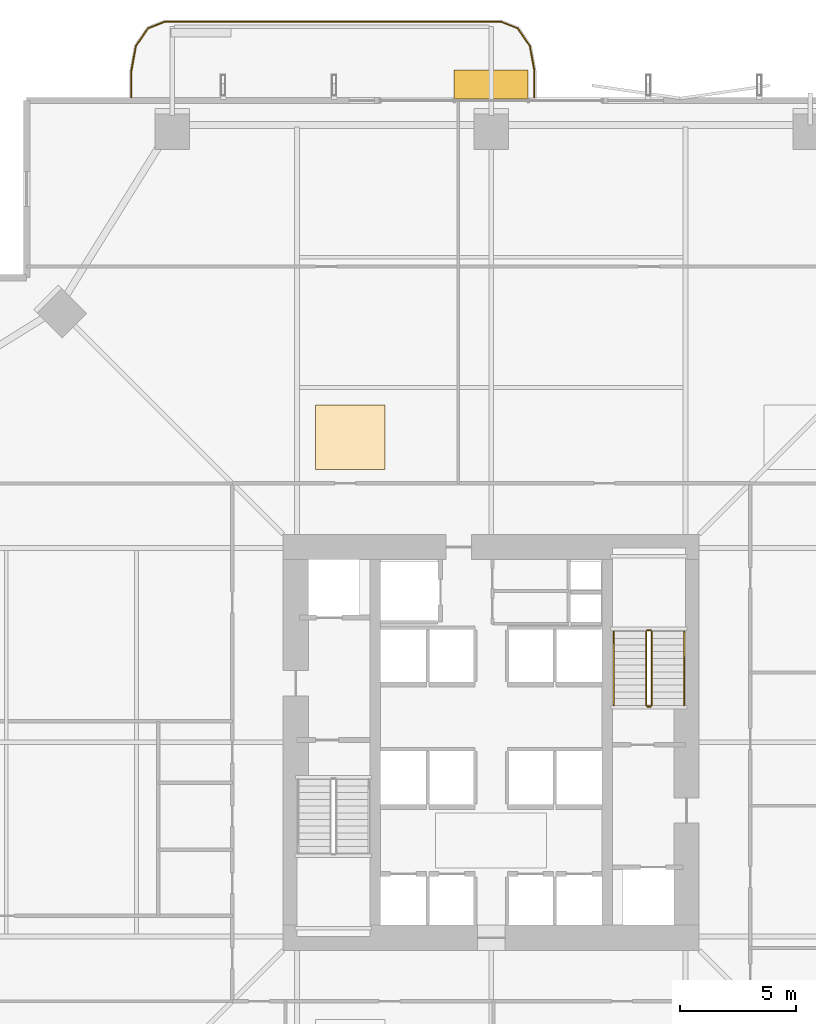
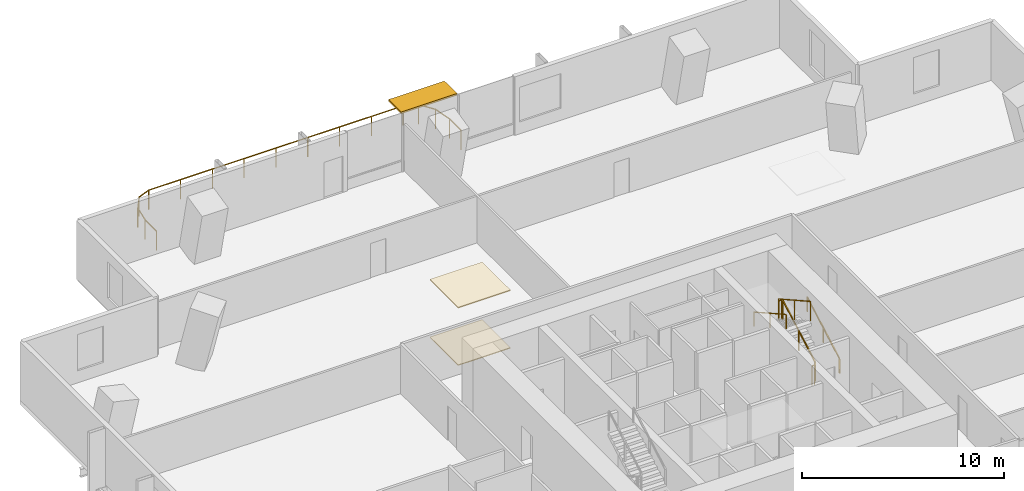
# One storey, part 23 of 24: 7 railings, 2 coverings, 1 shading device.
"""IFC4 building model written with IfcOpenShell, lengths in metres."""

from ifc_helpers import new_model, si_unit, direction, frame, origin, origin_2d, place, context, subcontext, project, spatial, polyline, rectangle, outline, extrude, material, layer, layer_set, type_object, element, save


model = new_model("IFC4")

# Units and contexts
model_context = context("Model", 3, precision=1e-05, world=origin(), true_north=direction((0.0, 1.0)))
body_context = subcontext(model_context, "Body", "Model", "MODEL_VIEW")
ifc_project = project(units=[si_unit("LENGTHUNIT", "METRE"), si_unit("AREAUNIT", "SQUARE_METRE"), si_unit("VOLUMEUNIT", "CUBIC_METRE"), si_unit("PLANEANGLEUNIT", "RADIAN"), si_unit("MASSUNIT", "GRAM", prefix="KILO")], contexts=[model_context])

# Site, building, storey
site_placement = place(None, origin())
site = spatial("IfcSite", under=ifc_project, at=site_placement, CompositionType="ELEMENT")
building_placement = place(site_placement, origin())
building = spatial("IfcBuilding", under=site, at=building_placement, Name="Belovzor Exchange Tower", CompositionType="ELEMENT")
storey_placement = place(building_placement, frame((0.0, 0.0, 104.10009765625)))
storey = spatial("IfcBuildingStorey", under=building, at=storey_placement, Name="L25", CompositionType="ELEMENT", Elevation=104.10009765625)

# Railings
ifc_material_1 = material(Name="Stainless Steel Grade 304", Category="steel")
railing_type_1 = type_object("IfcRailingType", Name="Brushed Stainless Steel Stair Handrail 900", PredefinedType="HANDRAIL", material=ifc_material_1)
railing_1_placement = place(storey_placement, frame((37.14990234375, 30.39990234375, 0.162353515625)))
element("IfcRailing", 1, at=railing_1_placement, inside=storey, type_object=railing_type_1, Name="L25 ST-2 stair handrail 1", PredefinedType="HANDRAIL", context=body_context, shape_type="SweptSolid", body=[
    extrude(rectangle(XDim=0.048095703125, YDim=0.048095703125, at=origin_2d()), frame((0.0, 0.0, 0.8759765625), z_axis=(0.0, 0.87237847985, 0.488831042279), x_axis=(-1.0, 0.0, 0.0)), (0.0, 0.0, 1.0), 3.656982421875),
    extrude(rectangle(XDim=0.0419921875, YDim=0.0419921875, at=origin_2d()), origin(), (0.0, 0.0, 1.0), 0.851806640625),
    extrude(rectangle(XDim=0.0419921875, YDim=0.0419921875, at=origin_2d()), frame((0.0, 1.59521484375, 0.893798828125)), (0.0, 0.0, 1.0), 0.851806640625),
    extrude(rectangle(XDim=0.0419921875, YDim=0.0419921875, at=origin_2d()), frame((0.0, 3.190185546875, 1.78759765625)), (0.0, 0.0, 1.0), 0.851806640625),
])
railing_2_placement = place(storey_placement, frame((34.10009765625, 33.590087890625, 2.1123046875)))
element("IfcRailing", 2, at=railing_2_placement, inside=storey, type_object=railing_type_1, Name="L25 ST-2 stair handrail 2", PredefinedType="HANDRAIL", context=body_context, shape_type="SweptSolid", body=[
    extrude(rectangle(XDim=0.048095703125, YDim=0.048095703125, at=origin_2d()), frame((0.0, 0.0, 0.8759765625), z_axis=(0.0, -0.87237847985, 0.488831042279), x_axis=(1.0, 0.0, 0.0)), (0.0, 0.0, 1.0), 3.656982421875),
    extrude(rectangle(XDim=0.0419921875, YDim=0.0419921875, at=origin_2d()), origin(), (0.0, 0.0, 1.0), 0.851806640625),
    extrude(rectangle(XDim=0.0419921875, YDim=0.0419921875, at=origin_2d()), frame((0.0, -1.59521484375, 0.893798828125)), (0.0, 0.0, 1.0), 0.851806640625),
    extrude(rectangle(XDim=0.0419921875, YDim=0.0419921875, at=origin_2d()), frame((0.0, -3.190185546875, 1.78759765625)), (0.0, 0.0, 1.0), 0.851806640625),
])
ifc_material_2 = material(Name="Stainless Steel and Laminated Safety Glass", Category="steel")
railing_type_2 = type_object("IfcRailingType", Name="Laminated Glass & Stainless Steel Balcony Balustrade 1200", PredefinedType="BALUSTRADE", material=ifc_material_2)
railing_3_placement = place(storey_placement, frame((30.669921875, 56.7099609375, 0.0)))
element("IfcRailing", 3, at=railing_3_placement, inside=storey, type_object=railing_type_2, Name="GR-1 Balcony Balustrade L25 North", PredefinedType="BALUSTRADE", context=body_context, shape_type="SweptSolid", body=[
    extrude(rectangle(XDim=0.048095703125, YDim=0.048095703125, at=origin_2d()), frame((0.0, 0.0, 1.17578125), z_axis=(0.0, 1.0, 0.0), x_axis=(-1.0, 0.0, 0.0)), (0.0, 0.0, 1.0), 1.133056640625),
    extrude(rectangle(XDim=0.048095703125, YDim=0.048095703125, at=origin_2d()), frame((0.0, 1.133056640625, 1.17578125), z_axis=(-0.180122719713, 0.983644145941, 0.0), x_axis=(-0.983644145941, -0.180122719713, 0.0)), (0.0, 0.0, 1.0), 1.09375),
    extrude(rectangle(XDim=0.048095703125, YDim=0.048095703125, at=origin_2d()), frame((-0.197021484375, 2.208984375, 1.17578125), z_axis=(-0.562768145367, 0.826614792125, 0.0), x_axis=(-0.826614792125, -0.562768145367, 0.0)), (0.0, 0.0, 1.0), 0.9326171875),
    extrude(rectangle(XDim=0.048095703125, YDim=0.048095703125, at=origin_2d()), frame((-0.721923828125, 2.97998046875, 1.17578125), z_axis=(-0.930766990125, 0.365612923861, 0.0), x_axis=(-0.365612923861, -0.930766990125, 0.0)), (0.0, 0.0, 1.0), 0.765869140625),
    extrude(rectangle(XDim=0.048095703125, YDim=0.048095703125, at=origin_2d()), frame((-1.434814453125, 3.260009765625, 1.17578125), z_axis=(-1.0, 0.0, 0.0), x_axis=(0.0, -1.0, 0.0)), (0.0, 0.0, 1.0), 14.570068359375),
    extrude(rectangle(XDim=0.048095703125, YDim=0.048095703125, at=origin_2d()), frame((-16.0048828125, 3.260009765625, 1.17578125), z_axis=(-0.930809580156, -0.365504480807, 0.0), x_axis=(0.365504480807, -0.930809580156, 0.0)), (0.0, 0.0, 1.0), 0.76611328125),
    extrude(rectangle(XDim=0.048095703125, YDim=0.048095703125, at=origin_2d()), frame((-16.718017578125, 2.97998046875, 1.17578125), z_axis=(-0.562768145367, -0.826614792125, 0.0), x_axis=(0.826614792125, -0.562768145367, 0.0)), (0.0, 0.0, 1.0), 0.9326171875),
    extrude(rectangle(XDim=0.048095703125, YDim=0.048095703125, at=origin_2d()), frame((-17.242919921875, 2.208984375, 1.17578125), z_axis=(-0.180122719713, -0.983644145941, 0.0), x_axis=(0.983644145941, -0.180122719713, 0.0)), (0.0, 0.0, 1.0), 1.09375),
    extrude(rectangle(XDim=0.048095703125, YDim=0.048095703125, at=origin_2d()), frame((-17.43994140625, 1.133056640625, 1.17578125), z_axis=(0.0, -1.0, 0.0), x_axis=(1.0, 0.0, 0.0)), (0.0, 0.0, 1.0), 1.133056640625),
    extrude(rectangle(XDim=0.0419921875, YDim=0.0419921875, at=origin_2d()), origin(), (0.0, 0.0, 1.0), 1.15185546875),
    extrude(rectangle(XDim=0.0419921875, YDim=0.0419921875, at=origin_2d()), frame((0.0, 1.133056640625, 0.0)), (0.0, 0.0, 1.0), 1.15185546875),
    extrude(rectangle(XDim=0.0419921875, YDim=0.0419921875, at=origin_2d()), frame((-0.197021484375, 2.208984375, 0.0)), (0.0, 0.0, 1.0), 1.15185546875),
    extrude(rectangle(XDim=0.0419921875, YDim=0.0419921875, at=origin_2d()), frame((-0.721923828125, 2.97998046875, 0.0)), (0.0, 0.0, 1.0), 1.15185546875),
    extrude(rectangle(XDim=0.0419921875, YDim=0.0419921875, at=origin_2d()), frame((-1.434814453125, 3.260009765625, 0.0)), (0.0, 0.0, 1.0), 1.15185546875),
    extrude(rectangle(XDim=0.0419921875, YDim=0.0419921875, at=origin_2d()), frame((-3.256103515625, 3.260009765625, 0.0)), (0.0, 0.0, 1.0), 1.15185546875),
    extrude(rectangle(XDim=0.0419921875, YDim=0.0419921875, at=origin_2d()), frame((-5.077392578125, 3.260009765625, 0.0)), (0.0, 0.0, 1.0), 1.15185546875),
    extrude(rectangle(XDim=0.0419921875, YDim=0.0419921875, at=origin_2d()), frame((-6.898681640625, 3.260009765625, 0.0)), (0.0, 0.0, 1.0), 1.15185546875),
    extrude(rectangle(XDim=0.0419921875, YDim=0.0419921875, at=origin_2d()), frame((-8.7197265625, 3.260009765625, 0.0)), (0.0, 0.0, 1.0), 1.15185546875),
    extrude(rectangle(XDim=0.0419921875, YDim=0.0419921875, at=origin_2d()), frame((-10.541015625, 3.260009765625, 0.0)), (0.0, 0.0, 1.0), 1.15185546875),
    extrude(rectangle(XDim=0.0419921875, YDim=0.0419921875, at=origin_2d()), frame((-12.3623046875, 3.260009765625, 0.0)), (0.0, 0.0, 1.0), 1.15185546875),
    extrude(rectangle(XDim=0.0419921875, YDim=0.0419921875, at=origin_2d()), frame((-14.18359375, 3.260009765625, 0.0)), (0.0, 0.0, 1.0), 1.15185546875),
    extrude(rectangle(XDim=0.0419921875, YDim=0.0419921875, at=origin_2d()), frame((-16.0048828125, 3.260009765625, 0.0)), (0.0, 0.0, 1.0), 1.15185546875),
    extrude(rectangle(XDim=0.0419921875, YDim=0.0419921875, at=origin_2d()), frame((-16.718017578125, 2.97998046875, 0.0)), (0.0, 0.0, 1.0), 1.15185546875),
    extrude(rectangle(XDim=0.0419921875, YDim=0.0419921875, at=origin_2d()), frame((-17.242919921875, 2.208984375, 0.0)), (0.0, 0.0, 1.0), 1.15185546875),
    extrude(rectangle(XDim=0.0419921875, YDim=0.0419921875, at=origin_2d()), frame((-17.43994140625, 1.133056640625, 0.0)), (0.0, 0.0, 1.0), 1.15185546875),
    extrude(rectangle(XDim=0.0419921875, YDim=0.0419921875, at=origin_2d()), frame((-17.43994140625, 0.0, 0.0)), (0.0, 0.0, 1.0), 1.15185546875),
])
ifc_material_3 = material(Name="Steel S355", Category="steel")
railing_type_3 = type_object("IfcRailingType", Name="Painted Steel Stairwell Guardrail 1200", PredefinedType="GUARDRAIL", material=ifc_material_3)
railing_4_placement = place(storey_placement, frame((35.75, 30.39990234375, 0.162353515625)))
element("IfcRailing", 4, at=railing_4_placement, inside=storey, type_object=railing_type_3, Name="L25 ST-2 stair guard 1", PredefinedType="GUARDRAIL", context=body_context, shape_type="SweptSolid", body=[
    extrude(rectangle(XDim=0.048095703125, YDim=0.048095703125, at=origin_2d()), frame((0.0, 0.0, 1.17578125), z_axis=(0.0, 0.87237847985, 0.488831042279), x_axis=(-1.0, 0.0, 0.0)), (0.0, 0.0, 1.0), 3.656982421875),
    extrude(rectangle(XDim=0.0419921875, YDim=0.0419921875, at=origin_2d()), origin(), (0.0, 0.0, 1.0), 1.15185546875),
    extrude(rectangle(XDim=0.0419921875, YDim=0.0419921875, at=origin_2d()), frame((0.0, 1.59521484375, 0.893798828125)), (0.0, 0.0, 1.0), 1.15185546875),
    extrude(rectangle(XDim=0.0419921875, YDim=0.0419921875, at=origin_2d()), frame((0.0, 3.190185546875, 1.78759765625)), (0.0, 0.0, 1.0), 1.15185546875),
])
railing_5_placement = place(storey_placement, frame((35.699951171875, 33.639892578125, 1.949951171875)))
element("IfcRailing", 5, at=railing_5_placement, inside=storey, type_object=railing_type_3, Name="L25 ST-2 stair guard 2", PredefinedType="GUARDRAIL", context=body_context, shape_type="SweptSolid", body=[
    extrude(rectangle(XDim=0.048095703125, YDim=0.048095703125, at=origin_2d()), frame((0.0, 0.0, 1.17578125), z_axis=(-1.0, 0.0, 0.0), x_axis=(0.0, -1.0, 0.0)), (0.0, 0.0, 1.0), 0.14990234375),
    extrude(rectangle(XDim=0.0419921875, YDim=0.0419921875, at=origin_2d()), origin(), (0.0, 0.0, 1.0), 1.15185546875),
    extrude(rectangle(XDim=0.0419921875, YDim=0.0419921875, at=origin_2d()), frame((-0.14990234375, 0.0, 0.0)), (0.0, 0.0, 1.0), 1.15185546875),
])
railing_6_placement = place(storey_placement, frame((35.5, 33.590087890625, 2.1123046875)))
element("IfcRailing", 6, at=railing_6_placement, inside=storey, type_object=railing_type_3, Name="L25 ST-2 stair guard 3", PredefinedType="GUARDRAIL", context=body_context, shape_type="SweptSolid", body=[
    extrude(rectangle(XDim=0.048095703125, YDim=0.048095703125, at=origin_2d()), frame((0.0, 0.0, 1.17578125), z_axis=(0.0, -0.87237847985, 0.488831042279), x_axis=(1.0, 0.0, 0.0)), (0.0, 0.0, 1.0), 3.656982421875),
    extrude(rectangle(XDim=0.0419921875, YDim=0.0419921875, at=origin_2d()), origin(), (0.0, 0.0, 1.0), 1.15185546875),
    extrude(rectangle(XDim=0.0419921875, YDim=0.0419921875, at=origin_2d()), frame((0.0, -1.59521484375, 0.893798828125)), (0.0, 0.0, 1.0), 1.15185546875),
    extrude(rectangle(XDim=0.0419921875, YDim=0.0419921875, at=origin_2d()), frame((0.0, -3.190185546875, 1.78759765625)), (0.0, 0.0, 1.0), 1.15185546875),
])
railing_7_placement = place(storey_placement, frame((35.699951171875, 30.35009765625, 0.0)))
element("IfcRailing", 7, at=railing_7_placement, inside=storey, type_object=railing_type_3, Name="L25 ST-2 stair guard 4", PredefinedType="GUARDRAIL", context=body_context, shape_type="SweptSolid", body=[
    extrude(rectangle(XDim=0.048095703125, YDim=0.048095703125, at=origin_2d()), frame((0.0, 0.0, 1.17578125), z_axis=(-1.0, 0.0, 0.0), x_axis=(0.0, -1.0, 0.0)), (0.0, 0.0, 1.0), 0.14990234375),
    extrude(rectangle(XDim=0.0419921875, YDim=0.0419921875, at=origin_2d()), origin(), (0.0, 0.0, 1.0), 1.15185546875),
    extrude(rectangle(XDim=0.0419921875, YDim=0.0419921875, at=origin_2d()), frame((-0.14990234375, 0.0, 0.0)), (0.0, 0.0, 1.0), 1.15185546875),
])

# Coverings
ifc_material_4 = material(Name="Perforated Powder-Coated Aluminium", Category="aluminium")
ifc_layer_1 = layer(ifc_material_4, 0.06005859375)
ifc_layer_set_1 = layer_set([ifc_layer_1], Name="Perforated Powder-Coated Aluminium")
covering_type_1 = type_object("IfcCoveringType", Name="Perforated Acoustic Metal Tile Suspended Ceiling 60", PredefinedType="CEILING", material=ifc_layer_set_1)
covering_1_placement = place(storey_placement, frame((0.0, 0.0, 3.47998046875)))
element("IfcCovering", 8, at=covering_1_placement, inside=storey, type_object=covering_type_1, Name="CLG-AC60 Suspended Ceiling CLG-L25-Z3", PredefinedType="CEILING", context=body_context, shape_type="SweptSolid", body=[
    extrude(outline(polyline([(21.199951171875, 40.60009765625), (24.199951171875, 40.60009765625), (24.199951171875, 43.39990234375), (21.199951171875, 43.39990234375), (21.199951171875, 40.60009765625)])), origin(), (0.0, 0.0, 1.0), 0.059814453125),
])
ifc_material_5 = material(Name="Polished Natural Granite Tile", Category="masonry")
ifc_layer_2 = layer(ifc_material_5, 0.050048828125)
ifc_layer_set_2 = layer_set([ifc_layer_2], Name="Polished Natural Granite Tile")
covering_type_2 = type_object("IfcCoveringType", Name="Polished Karelian Granite & Raised Access Floor Finish 50", PredefinedType="FLOORING", material=ifc_layer_set_2)
covering_2_placement = place(storey_placement, origin())
element("IfcCovering", 9, at=covering_2_placement, inside=storey, type_object=covering_type_2, Name="FLR-GR50 Floor Finish FLR-L25-Z3", PredefinedType="FLOORING", context=body_context, shape_type="SweptSolid", body=[
    extrude(outline(polyline([(21.199951171875, 40.60009765625), (24.199951171875, 40.60009765625), (24.199951171875, 43.39990234375), (21.199951171875, 43.39990234375), (21.199951171875, 40.60009765625)])), origin(), (0.0, 0.0, 1.0), 0.0498046875),
])

# Shading device
ifc_material_6 = material(Name="Extruded Architectural Terracotta", Category="masonry")
ifc_layer_3 = layer(ifc_material_6, 0.1201171875)
ifc_layer_set_3 = layer_set([ifc_layer_3], Name="Extruded Architectural Terracotta")
shading_device_type = type_object("IfcShadingDeviceType", Name="Streamline Terracotta Horizontal Sunshade Hood 1250", PredefinedType="AWNING", material=ifc_layer_set_3)
shading_device_placement = place(storey_placement, frame((28.800048828125, 57.264892578125, 3.419921875), z_axis=(0.0, 0.0, 1.0), x_axis=(1.0, 0.0, 0.0)))
element("IfcShadingDevice", 10, at=shading_device_placement, inside=storey, type_object=shading_device_type, Name="SHD-TC125 Terracotta Sunshade L25 N", PredefinedType="AWNING", context=body_context, shape_type="SweptSolid", body=[
    extrude(rectangle(XDim=3.199951171875, YDim=1.25, at=origin_2d()), origin(), (0.0, 0.0, 1.0), 0.1201171875),
])

save(model, "model.ifc")
